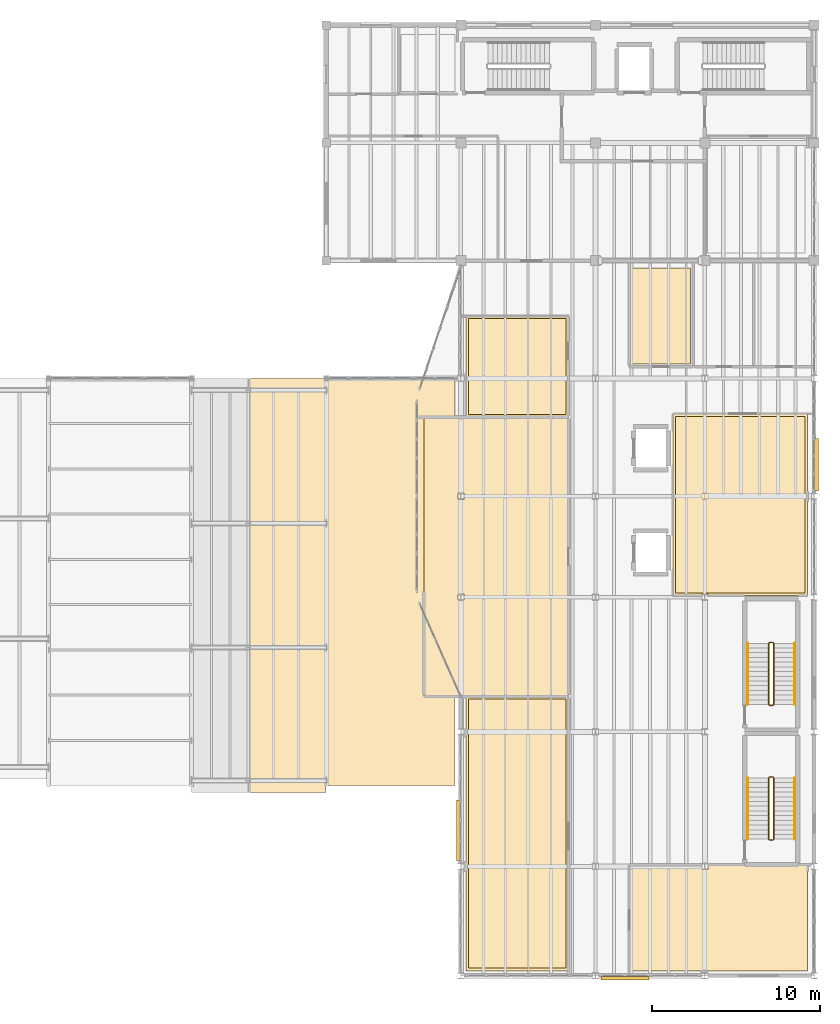
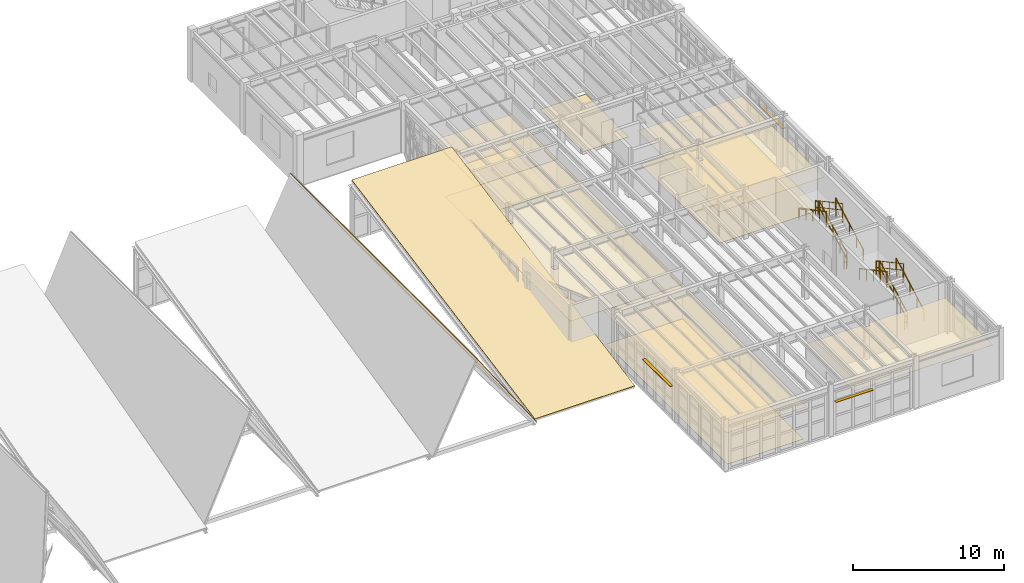
# One storey, part 76 of 77: 12 railings, 11 coverings, 3 shading devices.
"""IFC4 building model written with IfcOpenShell, lengths in metres."""

import ifcopenshell
import ifcopenshell.guid

model = None  # the IFC model being written
_history = None  # IfcOwnerHistory: only IFC2X3 demands one
_inside = {}  # id of a spatial element -> (the spatial element, [elements in it])
_under = {}  # id of a project, library or spatial element -> (it, [spatial elements below it])
_declared = {}  # id of a project -> (the project, [libraries it declares])
_typed = {}  # id of a type object -> (the type object, [elements of that type])
_made_of = {}  # id of a material, layer set ... -> (it, [elements and type objects made of it])


def new_model(schema):
    """Start an empty IFC model of exactly this schema.

    Asked for "IFC4X3", IfcOpenShell would pick the latest addendum, in which some entities
    have other attributes; the version numbers below select the first issue.
    IFC2X3 requires an IfcOwnerHistory on every rooted entity: one is made here for all.
    """
    global model, _history
    if schema == "IFC4X3":
        model = ifcopenshell.file(schema_version=(4, 3, 0, 0))
    else:
        model = ifcopenshell.file(schema=schema)
    _inside.clear()
    _under.clear()
    _declared.clear()
    _typed.clear()
    _made_of.clear()
    _history = None
    if model.schema == "IFC2X3":
        org = make("IfcOrganization", Name="unknown")
        user = make(
            "IfcPersonAndOrganization",
            ThePerson=make("IfcPerson", FamilyName="unknown"),
            TheOrganization=org,
        )
        app = make(
            "IfcApplication",
            ApplicationDeveloper=org,
            Version="unknown",
            ApplicationFullName="unknown",
            ApplicationIdentifier="unknown",
        )
        _history = make(
            "IfcOwnerHistory",
            OwningUser=user,
            OwningApplication=app,
            ChangeAction="ADDED",
            CreationDate=0,
        )
    return model


def make(cls, **values):
    """One entity of the class cls with the attributes given. An attribute that is None is left unset."""
    return model.create_entity(
        cls, **{name: value for name, value in values.items() if value is not None}
    )


def rooted(cls, **values):
    """An entity with a GlobalId (a new one), such as an element, a storey or a relation."""
    return make(cls, GlobalId=ifcopenshell.guid.new(), OwnerHistory=_history, **values)


def si_unit(unit_type, name, prefix=None):
    """IfcSIUnit, for example si_unit("LENGTHUNIT", "METRE", prefix="MILLI")."""
    return make("IfcSIUnit", UnitType=unit_type, Prefix=prefix, Name=name)


def assignment(units):
    """IfcUnitAssignment: the units of a project."""
    return None if units is None else make("IfcUnitAssignment", Units=units)


def point(xyz):
    """IfcCartesianPoint."""
    return None if xyz is None else make("IfcCartesianPoint", Coordinates=xyz)


def direction(xyz):
    """IfcDirection."""
    return None if xyz is None else make("IfcDirection", DirectionRatios=xyz)


def frame(location, z_axis=None, x_axis=None):
    """IfcAxis2Placement3D, a coordinate frame: its origin and axes. An axis left out is left unset."""
    return make(
        "IfcAxis2Placement3D",
        Location=point(location),
        Axis=direction(z_axis),
        RefDirection=direction(x_axis),
    )


def frame_2d(location, x_axis=None):
    """IfcAxis2Placement2D, a coordinate frame in the plane: its origin and x axis."""
    return make(
        "IfcAxis2Placement2D", Location=point(location), RefDirection=direction(x_axis)
    )


def origin():
    """The frame at (0, 0, 0) with its axes left unset."""
    return frame((0.0, 0.0, 0.0))


def origin_2d():
    """The frame at (0, 0) in the plane with its x axis left unset."""
    return frame_2d((0.0, 0.0))


def place(relative_to, where):
    """IfcLocalPlacement: puts the frame where relative to a parent placement (None: the world)."""
    return make(
        "IfcLocalPlacement", PlacementRelTo=relative_to, RelativePlacement=where
    )


def context(
    kind, dimensions, precision=None, world=None, true_north=None, identifier=None
):
    """IfcGeometricRepresentationContext, for example the 3D "Model" context."""
    return make(
        "IfcGeometricRepresentationContext",
        ContextIdentifier=identifier,
        ContextType=kind,
        CoordinateSpaceDimension=dimensions,
        Precision=precision,
        WorldCoordinateSystem=world,
        TrueNorth=true_north,
    )


def subcontext(parent, identifier, kind, view, scale=None):
    """IfcGeometricRepresentationSubContext, for example "Body" below "Model"."""
    return make(
        "IfcGeometricRepresentationSubContext",
        ContextIdentifier=identifier,
        ContextType=kind,
        ParentContext=parent,
        TargetScale=scale,
        TargetView=view,
    )


def project(units=None, contexts=None):
    """IfcProject with its units and contexts."""
    return rooted(
        "IfcProject",
        Name="project",
        RepresentationContexts=contexts,
        UnitsInContext=assignment(units),
    )


def spatial(cls, under=None, at=None, **own):
    """A site, building, storey or space (cls), placed at a placement, below another one or the project."""
    s = rooted(cls, ObjectPlacement=at, **own)
    if under is not None:
        _under.setdefault(under.id(), (under, []))[1].append(s)
    return s


def polyline(points):
    """IfcPolyline through the points."""
    return make("IfcPolyline", Points=[point(p) for p in points])


def profile(cls, at=None, kind="AREA", **sizes):
    """A parametric profile (cls). Its sizes go by their IFC names, for example OverallWidth=200.0."""
    return make(cls, ProfileType=kind, Position=at, **sizes)


def rectangle(**sizes):
    """IfcRectangleProfileDef."""
    return profile("IfcRectangleProfileDef", **sizes)


def circle(**sizes):
    """IfcCircleProfileDef."""
    return profile("IfcCircleProfileDef", **sizes)


def outline(outer, holes=None, kind="AREA"):
    """IfcArbitraryClosedProfileDef: a profile drawn as a closed curve; with holes, ...WithVoids."""
    if holes is None:
        return make("IfcArbitraryClosedProfileDef", ProfileType=kind, OuterCurve=outer)
    return make(
        "IfcArbitraryProfileDefWithVoids",
        ProfileType=kind,
        OuterCurve=outer,
        InnerCurves=holes,
    )


def extrude(swept, where, along, depth):
    """IfcExtrudedAreaSolid: the profile swept, set in the frame where, extruded along a direction by depth."""
    return make(
        "IfcExtrudedAreaSolid",
        SweptArea=swept,
        Position=where,
        ExtrudedDirection=direction(along),
        Depth=depth,
    )


def shape(context_of_items, identifier, shape_type, items):
    """IfcShapeRepresentation: the items that make up one representation, for example the "Body"."""
    return make(
        "IfcShapeRepresentation",
        ContextOfItems=context_of_items,
        RepresentationIdentifier=identifier,
        RepresentationType=shape_type,
        Items=items,
    )


def material(Name=None, Category=None):
    """IfcMaterial."""
    return make("IfcMaterial", Name=Name, Category=Category)


def layer(
    of_material, thickness, ventilated=None, Name=None, Category=None, Priority=None
):
    """IfcMaterialLayer: one layer of a wall or slab, of a material (None: an air gap)."""
    return make(
        "IfcMaterialLayer",
        Material=of_material,
        LayerThickness=thickness,
        IsVentilated=ventilated,
        Name=Name,
        Category=Category,
        Priority=Priority,
    )


def layer_set(layers, Name=None):
    """IfcMaterialLayerSet."""
    return make("IfcMaterialLayerSet", MaterialLayers=layers, LayerSetName=Name)


def made_of(thing, what):
    """Note that an element or type object is made of a material, layer set ...; save() writes the relation."""
    if what is not None:
        _made_of.setdefault(what.id(), (what, []))[1].append(thing)
    return thing


def type_object(cls, material=None, **own):
    """A type object (cls), such as IfcWallType, which elements share."""
    return made_of(rooted(cls, **own), material)


def element(
    cls,
    number,
    at=None,
    inside=None,
    cuts=None,
    type_object=None,
    material=None,
    context=None,
    identifier="Body",
    shape_type=None,
    held_by="IfcProductDefinitionShape",
    body=None,
    shapes=None,
    **own,
):
    """One element of the class cls, such as IfcWall. Its Tag is "e" and its number.

    at: its placement. inside: the storey or other place that contains it. cuts: it is an
    opening in that element (IfcRelVoidsElement). A single representation is given by context,
    identifier, shape_type and body (its items); several are given by shapes. held_by: the class
    of the entity that holds the representations. save() writes the other relations.
    """
    e = rooted(cls, Tag="e%d" % number, ObjectPlacement=at, **own)
    if body is not None:
        shapes = [shape(context, identifier, shape_type, body)]
    if shapes is not None:
        e.Representation = make(held_by, Representations=shapes)
    if inside is not None:
        _inside.setdefault(inside.id(), (inside, []))[1].append(e)
    if cuts is not None:
        rooted(
            "IfcRelVoidsElement", RelatingBuildingElement=cuts, RelatedOpeningElement=e
        )
    if type_object is not None:
        _typed.setdefault(type_object.id(), (type_object, []))[1].append(e)
    return made_of(e, material)


def aggregate(whole, parts):
    """IfcRelAggregates: a whole, such as a stair, and the parts it consists of."""
    return rooted("IfcRelAggregates", RelatingObject=whole, RelatedObjects=parts)


def save(model, path):
    """Write the relations noted so far, then the file.

    IfcRelAggregates (storeys below a building ...), IfcRelContainedInSpatialStructure (elements
    in a storey), IfcRelDefinesByType, IfcRelAssociatesMaterial and IfcRelDeclares: one each for
    every whole, place, type object, material and project.
    """
    for whole, parts in _under.values():
        aggregate(whole, parts)
    for where, things in _inside.values():
        rooted(
            "IfcRelContainedInSpatialStructure",
            RelatedElements=things,
            RelatingStructure=where,
        )
    for kind, things in _typed.values():
        rooted("IfcRelDefinesByType", RelatedObjects=things, RelatingType=kind)
    for what, things in _made_of.values():
        rooted("IfcRelAssociatesMaterial", RelatedObjects=things, RelatingMaterial=what)
    for by, libraries in _declared.values():
        rooted("IfcRelDeclares", RelatingContext=by, RelatedDefinitions=libraries)
    model.write(path)


model = new_model("IFC4")

# Units and contexts
model_context = context("Model", 3, precision=1e-05, world=origin(), true_north=direction((0.0, 1.0)))
body_context = subcontext(model_context, "Body", "Model", "MODEL_VIEW")
ifc_project = project(units=[si_unit("LENGTHUNIT", "METRE"), si_unit("AREAUNIT", "SQUARE_METRE"), si_unit("VOLUMEUNIT", "CUBIC_METRE"), si_unit("PLANEANGLEUNIT", "RADIAN"), si_unit("MASSUNIT", "GRAM", prefix="KILO"), si_unit("THERMODYNAMICTEMPERATUREUNIT", "KELVIN"), si_unit("POWERUNIT", "WATT")], contexts=[model_context])

# Site, building, storey
site_placement = place(None, origin())
site = spatial("IfcSite", under=ifc_project, at=site_placement, CompositionType="ELEMENT")
building_placement = place(site_placement, origin())
building = spatial("IfcBuilding", under=site, at=building_placement, Name="Zhenchuan Central Fire Station", CompositionType="ELEMENT")
storey_placement = place(building_placement, frame((0.0, 0.0, 10.050048828125)))
storey = spatial("IfcBuildingStorey", under=building, at=storey_placement, Name="L03", CompositionType="ELEMENT", Elevation=10.050048828125)

# Coverings
ifc_material_1 = material(Name="Gypsum plasterboard acoustic ceiling", Category="gypsum")
ifc_layer_1 = layer(ifc_material_1, 0.01806640625, Name="Gypsum plasterboard acoustic ceiling", Category="gypsum")
ifc_layer_set_1 = layer_set([ifc_layer_1], Name="Gypsum plasterboard acoustic ceiling")
covering_type_1 = type_object("IfcCoveringType", Name="COV-CEIL-GYP", PredefinedType="CEILING", material=ifc_layer_set_1)
covering_1_placement = place(storey_placement, frame((0.0, 0.0, 2.64990234375)))
element("IfcCovering", 1, at=covering_1_placement, inside=storey, type_object=covering_type_1, Name="Tactical Disaster Simulation Lab Acoustic Ceiling", PredefinedType="CEILING", context=body_context, shape_type="SweptSolid", body=[
    extrude(outline(polyline([(140.300048828125, 0.300048828125), (140.300048828125, 16.60009765625), (146.39990234375, 16.60009765625), (146.39990234375, 0.300048828125), (140.300048828125, 0.300048828125)])), origin(), (0.0, 0.0, 1.0), 0.01806640625),
])
covering_2_placement = place(storey_placement, frame((0.0, 0.0, 2.64990234375)))
element("IfcCovering", 2, at=covering_2_placement, inside=storey, type_object=covering_type_1, Name="GIS Mapping and Intelligence Room Acoustic Ceiling", PredefinedType="CEILING", context=body_context, shape_type="SweptSolid", body=[
    extrude(outline(polyline([(137.800048828125, 16.60009765625), (137.800048828125, 33.199951171875), (146.39990234375, 33.199951171875), (146.39990234375, 16.60009765625), (137.800048828125, 16.60009765625)]), holes=[polyline([(140.179931640625, 22.320068359375), (140.179931640625, 22.679931640625), (139.820068359375, 22.679931640625), (139.820068359375, 22.320068359375), (140.179931640625, 22.320068359375)]), polyline([(140.179931640625, 28.320068359375), (140.179931640625, 28.679931640625), (139.820068359375, 28.679931640625), (139.820068359375, 28.320068359375), (140.179931640625, 28.320068359375)])]), origin(), (0.0, 0.0, 1.0), 0.01806640625),
])
covering_3_placement = place(storey_placement, frame((0.0, 0.0, 2.64990234375)))
element("IfcCovering", 3, at=covering_3_placement, inside=storey, type_object=covering_type_1, Name="Detachment Commander Suite Acoustic Ceiling", PredefinedType="CEILING", context=body_context, shape_type="SweptSolid", body=[
    extrude(outline(polyline([(140.300048828125, 33.199951171875), (140.300048828125, 39.199951171875), (146.39990234375, 39.199951171875), (146.39990234375, 33.199951171875), (140.300048828125, 33.199951171875)])), origin(), (0.0, 0.0, 1.0), 0.01806640625),
])
covering_4_placement = place(storey_placement, frame((0.0, 0.0, 2.64990234375)))
element("IfcCovering", 4, at=covering_4_placement, inside=storey, type_object=covering_type_1, Name="Strategic Operations Briefing Room Acoustic Ceiling", PredefinedType="CEILING", context=body_context, shape_type="SweptSolid", body=[
    extrude(outline(polyline([(160.60009765625, 6.60009765625), (160.60009765625, 0.300048828125), (150.0, 0.300048828125), (150.0, 6.60009765625), (154.320068359375, 6.60009765625), (154.320068359375, 6.320068359375), (154.679931640625, 6.320068359375), (154.679931640625, 6.60009765625), (160.60009765625, 6.60009765625)])), origin(), (0.0, 0.0, 1.0), 0.01806640625),
])
covering_5_placement = place(storey_placement, frame((0.0, 0.0, 2.64990234375)))
element("IfcCovering", 5, at=covering_5_placement, inside=storey, type_object=covering_type_1, Name="Operations Conference Room Acoustic Ceiling", PredefinedType="CEILING", context=body_context, shape_type="SweptSolid", body=[
    extrude(outline(polyline([(152.60009765625, 22.60009765625), (152.60009765625, 33.39990234375), (160.60009765625, 33.39990234375), (160.60009765625, 22.60009765625), (154.679931640625, 22.60009765625), (154.679931640625, 22.679931640625), (154.320068359375, 22.679931640625), (154.320068359375, 22.60009765625), (152.60009765625, 22.60009765625)]), holes=[polyline([(154.679931640625, 28.320068359375), (154.679931640625, 28.679931640625), (154.320068359375, 28.679931640625), (154.320068359375, 28.320068359375), (154.679931640625, 28.320068359375)])]), origin(), (0.0, 0.0, 1.0), 0.01806640625),
])
ifc_material_2 = material(Name="Heavy-duty slip-resistant ceramic tile flooring")
ifc_layer_2 = layer(ifc_material_2, 0.014892578125, Name="Heavy-duty slip-resistant ceramic tile flooring")
ifc_layer_set_2 = layer_set([ifc_layer_2], Name="Heavy-duty slip-resistant ceramic tile flooring")
covering_type_2 = type_object("IfcCoveringType", Name="COV-FLR-RES", PredefinedType="FLOORING", material=ifc_layer_set_2)
covering_6_placement = place(storey_placement, origin())
element("IfcCovering", 6, at=covering_6_placement, inside=storey, type_object=covering_type_2, Name="Tactical Disaster Simulation Lab Ceramic Tile Flooring", PredefinedType="FLOORING", context=body_context, shape_type="SweptSolid", body=[
    extrude(outline(polyline([(140.449951171875, 0.449951171875), (146.25, 0.449951171875), (146.25, 16.449951171875), (140.449951171875, 16.449951171875), (140.449951171875, 0.449951171875)])), origin(), (0.0, 0.0, 1.0), 0.014892578125),
])
covering_7_placement = place(storey_placement, origin())
element("IfcCovering", 7, at=covering_7_placement, inside=storey, type_object=covering_type_2, Name="Detachment Commander Suite Ceramic Tile Flooring", PredefinedType="FLOORING", context=body_context, shape_type="SweptSolid", body=[
    extrude(outline(polyline([(140.449951171875, 33.35009765625), (146.25, 33.35009765625), (146.25, 39.050048828125), (140.449951171875, 39.050048828125), (140.449951171875, 33.35009765625)])), origin(), (0.0, 0.0, 1.0), 0.014892578125),
])
covering_8_placement = place(storey_placement, origin())
element("IfcCovering", 8, at=covering_8_placement, inside=storey, type_object=covering_type_2, Name="Operations Conference Room Ceramic Tile Flooring", PredefinedType="FLOORING", context=body_context, shape_type="SweptSolid", body=[
    extrude(outline(polyline([(152.75, 22.75), (160.449951171875, 22.75), (160.449951171875, 33.25), (152.75, 33.25), (152.75, 22.75)])), origin(), (0.0, 0.0, 1.0), 0.014892578125),
])
covering_9_placement = place(storey_placement, origin())
element("IfcCovering", 9, at=covering_9_placement, inside=storey, type_object=covering_type_2, Name="Command Level Male WC Ceramic Tile Flooring", PredefinedType="FLOORING", context=body_context, shape_type="SweptSolid", body=[
    extrude(outline(polyline([(150.14990234375, 36.35009765625), (153.64990234375, 36.35009765625), (153.64990234375, 42.050048828125), (150.14990234375, 42.050048828125), (150.14990234375, 36.35009765625)])), origin(), (0.0, 0.0, 1.0), 0.014892578125),
])
ifc_material_3 = material(Name="Standing-seam zinc-aluminium roofing", Category="aluminium")
ifc_layer_3 = layer(ifc_material_3, 0.044921875, Name="Standing-seam zinc-aluminium roofing", Category="aluminium")
ifc_layer_set_3 = layer_set([ifc_layer_3], Name="Standing-seam zinc-aluminium roofing")
covering_type_3 = type_object("IfcCoveringType", Name="COV-ROOF", PredefinedType="ROOFING", material=ifc_layer_set_3)
covering_10_placement = place(storey_placement, frame((127.360107421875, 10.89990234375, 6.844970703125), z_axis=(0.827437814597, 0.0, 0.561557355018), x_axis=(0.561557355018, 0.0, -0.827437814597)))
element("IfcCovering", 10, at=covering_10_placement, inside=storey, type_object=covering_type_3, Name="Pavilion H09 Standing-Seam Gable Roofing E", PredefinedType="ROOFING", context=body_context, shape_type="SweptSolid", body=[
    extrude(outline(polyline([(0.0, 0.0), (8.218199250946695, 0.0), (8.218199250946695, 24.60009765625), (0.0, 24.60009765625), (0.0, 0.0)])), origin(), (0.0, 0.0, -1.0), 0.044921875),
])
covering_11_placement = place(storey_placement, frame((132.02490234375, 11.300048828125, 0.044921875), z_axis=(0.0, -0.186743197034, 0.982408763378), x_axis=(1.0, 0.0, 0.0)))
element("IfcCovering", 11, at=covering_11_placement, inside=storey, type_object=covering_type_3, Name="Pavilion H10 Standing-Seam Metal Roofing", PredefinedType="ROOFING", context=body_context, shape_type="SweptSolid", body=[
    extrude(outline(polyline([(0.0, 0.0), (7.625, 0.0), (7.625, 24.633281047561876), (0.0, 24.633281047561876), (0.0, 0.0)])), origin(), (0.0, 0.0, -1.0), 0.044921875),
])

# Railings
ifc_material_4 = material(Name="Galvanised powder-coated steel", Category="steel")
railing_type_1 = type_object("IfcRailingType", Name="RL-ST-GRD", PredefinedType="GUARDRAIL", material=ifc_material_4)
railing_1_placement = place(storey_placement, frame((158.60009765625, 8.1201171875, 0.14990234375)))
element("IfcRailing", 12, at=railing_1_placement, inside=storey, type_object=railing_type_1, Name="L03 ST-10 stair guard 1", PredefinedType="GUARDRAIL", context=body_context, shape_type="SweptSolid", body=[
    extrude(circle(Radius=0.02392578125, at=origin_2d()), frame((0.0, 0.0, 1.076171875), z_axis=(0.0, 0.881479091078, 0.472223053219), x_axis=(-1.0, 0.0, 0.0)), (0.0, 0.0, 1.0), 4.12939453125),
    extrude(circle(Radius=0.02392578125, at=origin_2d()), frame((0.0, 0.0, 0.550048828125), z_axis=(0.0, 0.881479091078, 0.472223053219), x_axis=(-1.0, 0.0, 0.0)), (0.0, 0.0, 1.0), 4.12939453125),
    extrude(circle(Radius=0.02099609375, at=origin_2d()), origin(), (0.0, 0.0, 1.0), 1.052001953125),
    extrude(circle(Radius=0.02099609375, at=origin_2d()), frame((0.0, 0.909912109375, 0.487548828125)), (0.0, 0.0, 1.0), 1.052001953125),
    extrude(circle(Radius=0.02099609375, at=origin_2d()), frame((0.0, 1.81982421875, 0.97509765625)), (0.0, 0.0, 1.0), 1.052001953125),
    extrude(circle(Radius=0.02099609375, at=origin_2d()), frame((0.0, 2.72998046875, 1.46240234375)), (0.0, 0.0, 1.0), 1.052001953125),
    extrude(circle(Radius=0.02099609375, at=origin_2d()), frame((0.0, 3.639892578125, 1.949951171875)), (0.0, 0.0, 1.0), 1.052001953125),
])
railing_2_placement = place(storey_placement, frame((158.550048828125, 11.81005859375, 2.099853515625)))
element("IfcRailing", 13, at=railing_2_placement, inside=storey, type_object=railing_type_1, Name="L03 ST-10 stair guard 2", PredefinedType="GUARDRAIL", context=body_context, shape_type="SweptSolid", body=[
    extrude(circle(Radius=0.02392578125, at=origin_2d()), frame((0.0, 0.0, 1.076171875), z_axis=(-1.0, 0.0, 0.0), x_axis=(0.0, -1.0, 0.0)), (0.0, 0.0, 1.0), 0.199951171875),
    extrude(circle(Radius=0.02392578125, at=origin_2d()), frame((0.0, 0.0, 0.550048828125), z_axis=(-1.0, 0.0, 0.0), x_axis=(0.0, -1.0, 0.0)), (0.0, 0.0, 1.0), 0.199951171875),
    extrude(circle(Radius=0.02099609375, at=origin_2d()), origin(), (0.0, 0.0, 1.0), 1.052001953125),
    extrude(circle(Radius=0.02099609375, at=origin_2d()), frame((-0.199951171875, 0.0, 0.0)), (0.0, 0.0, 1.0), 1.052001953125),
])
railing_3_placement = place(storey_placement, frame((158.300048828125, 11.760009765625, 2.25)))
element("IfcRailing", 14, at=railing_3_placement, inside=storey, type_object=railing_type_1, Name="L03 ST-10 stair guard 3", PredefinedType="GUARDRAIL", context=body_context, shape_type="SweptSolid", body=[
    extrude(circle(Radius=0.02392578125, at=origin_2d()), frame((0.0, 0.0, 1.076171875), z_axis=(0.0, -0.881479091078, 0.472223053219), x_axis=(1.0, 0.0, 0.0)), (0.0, 0.0, 1.0), 4.12939453125),
    extrude(circle(Radius=0.02392578125, at=origin_2d()), frame((0.0, 0.0, 0.550048828125), z_axis=(0.0, -0.881479091078, 0.472223053219), x_axis=(1.0, 0.0, 0.0)), (0.0, 0.0, 1.0), 4.12939453125),
    extrude(circle(Radius=0.02099609375, at=origin_2d()), origin(), (0.0, 0.0, 1.0), 1.052001953125),
    extrude(circle(Radius=0.02099609375, at=origin_2d()), frame((0.0, -0.909912109375, 0.487548828125)), (0.0, 0.0, 1.0), 1.052001953125),
    extrude(circle(Radius=0.02099609375, at=origin_2d()), frame((0.0, -1.81982421875, 0.97509765625)), (0.0, 0.0, 1.0), 1.052001953125),
    extrude(circle(Radius=0.02099609375, at=origin_2d()), frame((0.0, -2.72998046875, 1.46240234375)), (0.0, 0.0, 1.0), 1.052001953125),
    extrude(circle(Radius=0.02099609375, at=origin_2d()), frame((0.0, -3.639892578125, 1.949951171875)), (0.0, 0.0, 1.0), 1.052001953125),
])
railing_4_placement = place(storey_placement, frame((158.550048828125, 8.070068359375, 0.0)))
element("IfcRailing", 15, at=railing_4_placement, inside=storey, type_object=railing_type_1, Name="L03 ST-10 stair guard 4", PredefinedType="GUARDRAIL", context=body_context, shape_type="SweptSolid", body=[
    extrude(circle(Radius=0.02392578125, at=origin_2d()), frame((0.0, 0.0, 1.076171875), z_axis=(-1.0, 0.0, 0.0), x_axis=(0.0, -1.0, 0.0)), (0.0, 0.0, 1.0), 0.199951171875),
    extrude(circle(Radius=0.02392578125, at=origin_2d()), frame((0.0, 0.0, 0.550048828125), z_axis=(-1.0, 0.0, 0.0), x_axis=(0.0, -1.0, 0.0)), (0.0, 0.0, 1.0), 0.199951171875),
    extrude(circle(Radius=0.02099609375, at=origin_2d()), origin(), (0.0, 0.0, 1.0), 1.052001953125),
    extrude(circle(Radius=0.02099609375, at=origin_2d()), frame((-0.199951171875, 0.0, 0.0)), (0.0, 0.0, 1.0), 1.052001953125),
])
railing_5_placement = place(storey_placement, frame((158.60009765625, 16.1201171875, 0.14990234375)))
element("IfcRailing", 16, at=railing_5_placement, inside=storey, type_object=railing_type_1, Name="L03 ST-11 stair guard 1", PredefinedType="GUARDRAIL", context=body_context, shape_type="SweptSolid", body=[
    extrude(circle(Radius=0.02392578125, at=origin_2d()), frame((0.0, 0.0, 1.076171875), z_axis=(0.0, 0.881479091078, 0.472223053219), x_axis=(-1.0, 0.0, 0.0)), (0.0, 0.0, 1.0), 4.12939453125),
    extrude(circle(Radius=0.02392578125, at=origin_2d()), frame((0.0, 0.0, 0.550048828125), z_axis=(0.0, 0.881479091078, 0.472223053219), x_axis=(-1.0, 0.0, 0.0)), (0.0, 0.0, 1.0), 4.12939453125),
    extrude(circle(Radius=0.02099609375, at=origin_2d()), origin(), (0.0, 0.0, 1.0), 1.052001953125),
    extrude(circle(Radius=0.02099609375, at=origin_2d()), frame((0.0, 0.909912109375, 0.487548828125)), (0.0, 0.0, 1.0), 1.052001953125),
    extrude(circle(Radius=0.02099609375, at=origin_2d()), frame((0.0, 1.81982421875, 0.97509765625)), (0.0, 0.0, 1.0), 1.052001953125),
    extrude(circle(Radius=0.02099609375, at=origin_2d()), frame((0.0, 2.72998046875, 1.46240234375)), (0.0, 0.0, 1.0), 1.052001953125),
    extrude(circle(Radius=0.02099609375, at=origin_2d()), frame((0.0, 3.639892578125, 1.949951171875)), (0.0, 0.0, 1.0), 1.052001953125),
])
railing_6_placement = place(storey_placement, frame((158.550048828125, 19.81005859375, 2.099853515625)))
element("IfcRailing", 17, at=railing_6_placement, inside=storey, type_object=railing_type_1, Name="L03 ST-11 stair guard 2", PredefinedType="GUARDRAIL", context=body_context, shape_type="SweptSolid", body=[
    extrude(circle(Radius=0.02392578125, at=origin_2d()), frame((0.0, 0.0, 1.076171875), z_axis=(-1.0, 0.0, 0.0), x_axis=(0.0, -1.0, 0.0)), (0.0, 0.0, 1.0), 0.199951171875),
    extrude(circle(Radius=0.02392578125, at=origin_2d()), frame((0.0, 0.0, 0.550048828125), z_axis=(-1.0, 0.0, 0.0), x_axis=(0.0, -1.0, 0.0)), (0.0, 0.0, 1.0), 0.199951171875),
    extrude(circle(Radius=0.02099609375, at=origin_2d()), origin(), (0.0, 0.0, 1.0), 1.052001953125),
    extrude(circle(Radius=0.02099609375, at=origin_2d()), frame((-0.199951171875, 0.0, 0.0)), (0.0, 0.0, 1.0), 1.052001953125),
])
railing_7_placement = place(storey_placement, frame((158.300048828125, 19.760009765625, 2.25)))
element("IfcRailing", 18, at=railing_7_placement, inside=storey, type_object=railing_type_1, Name="L03 ST-11 stair guard 3", PredefinedType="GUARDRAIL", context=body_context, shape_type="SweptSolid", body=[
    extrude(circle(Radius=0.02392578125, at=origin_2d()), frame((0.0, 0.0, 1.076171875), z_axis=(0.0, -0.881479091078, 0.472223053219), x_axis=(1.0, 0.0, 0.0)), (0.0, 0.0, 1.0), 4.12939453125),
    extrude(circle(Radius=0.02392578125, at=origin_2d()), frame((0.0, 0.0, 0.550048828125), z_axis=(0.0, -0.881479091078, 0.472223053219), x_axis=(1.0, 0.0, 0.0)), (0.0, 0.0, 1.0), 4.12939453125),
    extrude(circle(Radius=0.02099609375, at=origin_2d()), origin(), (0.0, 0.0, 1.0), 1.052001953125),
    extrude(circle(Radius=0.02099609375, at=origin_2d()), frame((0.0, -0.909912109375, 0.487548828125)), (0.0, 0.0, 1.0), 1.052001953125),
    extrude(circle(Radius=0.02099609375, at=origin_2d()), frame((0.0, -1.81982421875, 0.97509765625)), (0.0, 0.0, 1.0), 1.052001953125),
    extrude(circle(Radius=0.02099609375, at=origin_2d()), frame((0.0, -2.72998046875, 1.46240234375)), (0.0, 0.0, 1.0), 1.052001953125),
    extrude(circle(Radius=0.02099609375, at=origin_2d()), frame((0.0, -3.639892578125, 1.949951171875)), (0.0, 0.0, 1.0), 1.052001953125),
])
railing_8_placement = place(storey_placement, frame((158.550048828125, 16.070068359375, 0.0)))
element("IfcRailing", 19, at=railing_8_placement, inside=storey, type_object=railing_type_1, Name="L03 ST-11 stair guard 4", PredefinedType="GUARDRAIL", context=body_context, shape_type="SweptSolid", body=[
    extrude(circle(Radius=0.02392578125, at=origin_2d()), frame((0.0, 0.0, 1.076171875), z_axis=(-1.0, 0.0, 0.0), x_axis=(0.0, -1.0, 0.0)), (0.0, 0.0, 1.0), 0.199951171875),
    extrude(circle(Radius=0.02392578125, at=origin_2d()), frame((0.0, 0.0, 0.550048828125), z_axis=(-1.0, 0.0, 0.0), x_axis=(0.0, -1.0, 0.0)), (0.0, 0.0, 1.0), 0.199951171875),
    extrude(circle(Radius=0.02099609375, at=origin_2d()), origin(), (0.0, 0.0, 1.0), 1.052001953125),
    extrude(circle(Radius=0.02099609375, at=origin_2d()), frame((-0.199951171875, 0.0, 0.0)), (0.0, 0.0, 1.0), 1.052001953125),
])
ifc_material_5 = material(Name="Brushed stainless steel handrail", Category="steel")
railing_type_2 = type_object("IfcRailingType", Name="RL-ST-HND", PredefinedType="HANDRAIL", material=ifc_material_5)
railing_9_placement = place(storey_placement, frame((159.85009765625, 8.1201171875, 0.14990234375)))
element("IfcRailing", 20, at=railing_9_placement, inside=storey, type_object=railing_type_2, Name="L03 ST-10 stair handrail 1", PredefinedType="HANDRAIL", context=body_context, shape_type="SweptSolid", body=[
    extrude(circle(Radius=0.02392578125, at=origin_2d()), frame((0.0, 0.0, 0.8759765625), z_axis=(0.0, 0.881479091078, 0.472223053219), x_axis=(-1.0, 0.0, 0.0)), (0.0, 0.0, 1.0), 4.12939453125),
    extrude(circle(Radius=0.02099609375, at=origin_2d()), origin(), (0.0, 0.0, 1.0), 0.851806640625),
    extrude(circle(Radius=0.02099609375, at=origin_2d()), frame((0.0, 0.909912109375, 0.487548828125)), (0.0, 0.0, 1.0), 0.851806640625),
    extrude(circle(Radius=0.02099609375, at=origin_2d()), frame((0.0, 1.81982421875, 0.97509765625)), (0.0, 0.0, 1.0), 0.851806640625),
    extrude(circle(Radius=0.02099609375, at=origin_2d()), frame((0.0, 2.72998046875, 1.46240234375)), (0.0, 0.0, 1.0), 0.851806640625),
    extrude(circle(Radius=0.02099609375, at=origin_2d()), frame((0.0, 3.639892578125, 1.949951171875)), (0.0, 0.0, 1.0), 0.851806640625),
])
railing_10_placement = place(storey_placement, frame((157.050048828125, 11.760009765625, 2.25)))
element("IfcRailing", 21, at=railing_10_placement, inside=storey, type_object=railing_type_2, Name="L03 ST-10 stair handrail 2", PredefinedType="HANDRAIL", context=body_context, shape_type="SweptSolid", body=[
    extrude(circle(Radius=0.02392578125, at=origin_2d()), frame((0.0, 0.0, 0.8759765625), z_axis=(0.0, -0.881479091078, 0.472223053219), x_axis=(1.0, 0.0, 0.0)), (0.0, 0.0, 1.0), 4.12939453125),
    extrude(circle(Radius=0.02099609375, at=origin_2d()), origin(), (0.0, 0.0, 1.0), 0.851806640625),
    extrude(circle(Radius=0.02099609375, at=origin_2d()), frame((0.0, -0.909912109375, 0.487548828125)), (0.0, 0.0, 1.0), 0.851806640625),
    extrude(circle(Radius=0.02099609375, at=origin_2d()), frame((0.0, -1.81982421875, 0.97509765625)), (0.0, 0.0, 1.0), 0.851806640625),
    extrude(circle(Radius=0.02099609375, at=origin_2d()), frame((0.0, -2.72998046875, 1.46240234375)), (0.0, 0.0, 1.0), 0.851806640625),
    extrude(circle(Radius=0.02099609375, at=origin_2d()), frame((0.0, -3.639892578125, 1.949951171875)), (0.0, 0.0, 1.0), 0.851806640625),
])
railing_11_placement = place(storey_placement, frame((159.85009765625, 16.1201171875, 0.14990234375)))
element("IfcRailing", 22, at=railing_11_placement, inside=storey, type_object=railing_type_2, Name="L03 ST-11 stair handrail 1", PredefinedType="HANDRAIL", context=body_context, shape_type="SweptSolid", body=[
    extrude(circle(Radius=0.02392578125, at=origin_2d()), frame((0.0, 0.0, 0.8759765625), z_axis=(0.0, 0.881479091078, 0.472223053219), x_axis=(-1.0, 0.0, 0.0)), (0.0, 0.0, 1.0), 4.12939453125),
    extrude(circle(Radius=0.02099609375, at=origin_2d()), origin(), (0.0, 0.0, 1.0), 0.851806640625),
    extrude(circle(Radius=0.02099609375, at=origin_2d()), frame((0.0, 0.909912109375, 0.487548828125)), (0.0, 0.0, 1.0), 0.851806640625),
    extrude(circle(Radius=0.02099609375, at=origin_2d()), frame((0.0, 1.81982421875, 0.97509765625)), (0.0, 0.0, 1.0), 0.851806640625),
    extrude(circle(Radius=0.02099609375, at=origin_2d()), frame((0.0, 2.72998046875, 1.46240234375)), (0.0, 0.0, 1.0), 0.851806640625),
    extrude(circle(Radius=0.02099609375, at=origin_2d()), frame((0.0, 3.639892578125, 1.949951171875)), (0.0, 0.0, 1.0), 0.851806640625),
])
railing_12_placement = place(storey_placement, frame((157.050048828125, 19.760009765625, 2.25)))
element("IfcRailing", 23, at=railing_12_placement, inside=storey, type_object=railing_type_2, Name="L03 ST-11 stair handrail 2", PredefinedType="HANDRAIL", context=body_context, shape_type="SweptSolid", body=[
    extrude(circle(Radius=0.02392578125, at=origin_2d()), frame((0.0, 0.0, 0.8759765625), z_axis=(0.0, -0.881479091078, 0.472223053219), x_axis=(1.0, 0.0, 0.0)), (0.0, 0.0, 1.0), 4.12939453125),
    extrude(circle(Radius=0.02099609375, at=origin_2d()), origin(), (0.0, 0.0, 1.0), 0.851806640625),
    extrude(circle(Radius=0.02099609375, at=origin_2d()), frame((0.0, -0.909912109375, 0.487548828125)), (0.0, 0.0, 1.0), 0.851806640625),
    extrude(circle(Radius=0.02099609375, at=origin_2d()), frame((0.0, -1.81982421875, 0.97509765625)), (0.0, 0.0, 1.0), 0.851806640625),
    extrude(circle(Radius=0.02099609375, at=origin_2d()), frame((0.0, -2.72998046875, 1.46240234375)), (0.0, 0.0, 1.0), 0.851806640625),
    extrude(circle(Radius=0.02099609375, at=origin_2d()), frame((0.0, -3.639892578125, 1.949951171875)), (0.0, 0.0, 1.0), 0.851806640625),
])

# Shading devices
ifc_material_6 = material(Name="Anodised aluminium EN AW-6063", Category="aluminium")
ifc_layer_4 = layer(ifc_material_6, 0.0400390625, Name="Anodised aluminium EN AW-6063", Category="aluminium")
ifc_layer_set_4 = layer_set([ifc_layer_4], Name="Anodised aluminium EN AW-6063")
shading_device_type = type_object("IfcShadingDeviceType", Name="SHD-ALU-FIN", PredefinedType="JALOUSIE", material=ifc_layer_set_4)
shading_device_1_placement = place(storey_placement, frame((149.756103515625, -0.138427734375, 2.62939453125), z_axis=(0.0, 0.0, 1.0), x_axis=(1.0, 0.0, 0.0)))
element("IfcShadingDevice", 24, at=shading_device_1_placement, inside=storey, type_object=shading_device_type, Name="Perforated Aluminium Sun-Shading Louvre 013", PredefinedType="JALOUSIE", context=body_context, shape_type="SweptSolid", body=[
    extrude(rectangle(XDim=2.8720703125, YDim=0.219970703125, at=origin_2d()), origin(), (0.0, 0.0, 1.0), 0.044921875),
])
shading_device_2_placement = place(storey_placement, frame((161.138427734375, 30.381103515625, 2.62939453125), z_axis=(0.0, 0.0, 1.0), x_axis=(0.0, 1.0, 0.0)))
element("IfcShadingDevice", 25, at=shading_device_2_placement, inside=storey, type_object=shading_device_type, Name="Perforated Aluminium Sun-Shading Louvre 014", PredefinedType="JALOUSIE", context=body_context, shape_type="SweptSolid", body=[
    extrude(rectangle(XDim=3.1220703125, YDim=0.219970703125, at=origin_2d()), origin(), (0.0, 0.0, 1.0), 0.044921875),
])
shading_device_3_placement = place(storey_placement, frame((139.8564453125, 8.631103515625, 2.62939453125), z_axis=(0.0, 0.0, 1.0), x_axis=(0.0, 1.0, 0.0)))
element("IfcShadingDevice", 26, at=shading_device_3_placement, inside=storey, type_object=shading_device_type, Name="Perforated Aluminium Sun-Shading Louvre 015", PredefinedType="JALOUSIE", context=body_context, shape_type="SweptSolid", body=[
    extrude(rectangle(XDim=3.6220703125, YDim=0.219970703125, at=origin_2d()), origin(), (0.0, 0.0, 1.0), 0.044921875),
])

save(model, "model.ifc")
